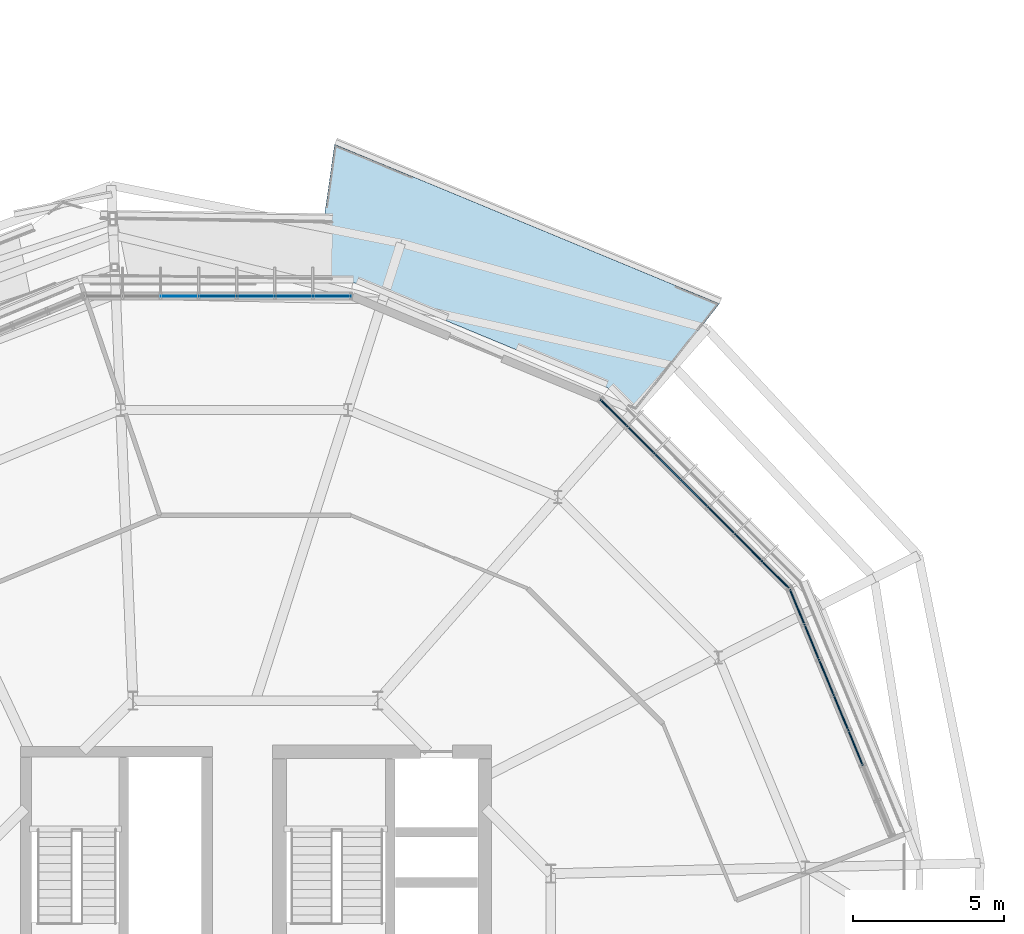
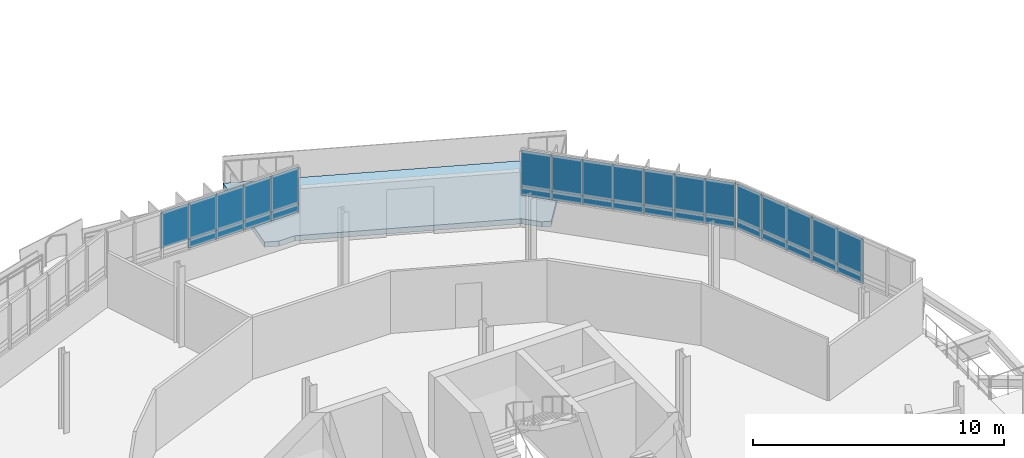
# One storey, part 43 of 61: 33 plates, 1 slab, 3 elements without a shape of their own.
"""IFC4 building model written with IfcOpenShell, lengths in metres."""

from ifc_helpers import new_model, si_unit, derived_unit, direction, frame, origin, origin_2d, place, context, subcontext, project, spatial, polyline, rectangle, outline, extrude, material, layer, layer_set, type_object, element, aggregate, save


model = new_model("IFC4")

# Units and contexts
model_context = context("Model", 3, precision=1e-05, world=origin(), true_north=direction((0.0, 1.0)))
body_context = subcontext(model_context, "Body", "Model", "MODEL_VIEW")
ifc_project = project(units=[si_unit("LENGTHUNIT", "METRE"), si_unit("AREAUNIT", "SQUARE_METRE"), si_unit("VOLUMEUNIT", "CUBIC_METRE"), si_unit("PLANEANGLEUNIT", "RADIAN"), si_unit("MASSUNIT", "GRAM", prefix="KILO"), derived_unit("THERMALTRANSMITTANCEUNIT", [(si_unit("MASSUNIT", "GRAM", prefix="KILO"), 1), (si_unit("TIMEUNIT", "SECOND"), -3), (si_unit("THERMODYNAMICTEMPERATUREUNIT", "KELVIN"), -1)])], contexts=[model_context])

# Site, building, storey
site_placement = place(None, origin())
site = spatial("IfcSite", under=ifc_project, at=site_placement, CompositionType="ELEMENT")
building_placement = place(site_placement, origin())
building = spatial("IfcBuilding", under=site, at=building_placement, Name="Makaiwela Harbour Ferry Terminal", CompositionType="ELEMENT")
storey_placement = place(building_placement, frame((0.0, 0.0, 13.800048828125)))
storey = spatial("IfcBuildingStorey", under=building, at=storey_placement, Name="L03", CompositionType="ELEMENT", Elevation=13.800048828125)

# Curtain wall, plates
ifc_material_1 = material(Name="Marine anodised aluminium 6063-T6", Category="aluminium")
ifc_layer_1 = layer(ifc_material_1, 0.199951171875)
ifc_layer_set_1 = layer_set([ifc_layer_1], Name="Marine anodised aluminium 6063-T6")
curtain_wall_type = type_object("IfcCurtainWallType", Name="ENV-CW-05", PredefinedType="USERDEFINED", material=ifc_layer_set_1)
curtain_wall_1_placement = place(storey_placement, origin())
curtain_wall_1 = element("IfcCurtainWall", 1, at=curtain_wall_1_placement, inside=storey, type_object=curtain_wall_type, Name="Unitised Curtain Wall CWA-029", ObjectType="UNITIZED CURTAIN WALL", PredefinedType="USERDEFINED")
ifc_material_2 = material(Name="Laminated hurricane-impact low-E insulated glazing", Category="glass")
ifc_layer_2 = layer(ifc_material_2, 0.031982421875)
ifc_layer_set_2 = layer_set([ifc_layer_2], Name="Laminated hurricane-impact low-E insulated glazing")
plate_type_1 = type_object("IfcPlateType", Name="CW-PNL-G08", PredefinedType="CURTAIN_PANEL", material=ifc_layer_set_2)
plate_1_placement = place(storey_placement, frame((57.69287109375, 75.831298828125, 1.89990234375), z_axis=(0.0, 0.0, 1.0), x_axis=(-0.382683432365, 0.923879532511, 0.0)))
plate_1 = element("IfcPlate", 2, at=plate_1_placement, type_object=plate_type_1, Name="Glazed Vision Panel CWA-029-3G", PredefinedType="CURTAIN_PANEL", context=body_context, shape_type="SweptSolid", body=[
    extrude(rectangle(XDim=1.26220703125, YDim=0.031982421875, at=origin_2d()), origin(), (0.0, 0.0, 1.0), 1.760009765625),
])
plate_2_placement = place(storey_placement, frame((57.209716796875, 76.99755859375, 1.89990234375), z_axis=(0.0, 0.0, 1.0), x_axis=(-0.382683432365, 0.923879532511, 0.0)))
plate_2 = element("IfcPlate", 3, at=plate_2_placement, type_object=plate_type_1, Name="Glazed Vision Panel CWA-029-4G", PredefinedType="CURTAIN_PANEL", context=body_context, shape_type="SweptSolid", body=[
    extrude(rectangle(XDim=1.26220703125, YDim=0.031982421875, at=origin_2d()), origin(), (0.0, 0.0, 1.0), 1.760009765625),
])
plate_3_placement = place(storey_placement, frame((56.7265625, 78.163818359375, 1.89990234375), z_axis=(0.0, 0.0, 1.0), x_axis=(-0.382683432365, 0.923879532511, 0.0)))
plate_3 = element("IfcPlate", 4, at=plate_3_placement, type_object=plate_type_1, Name="Glazed Vision Panel CWA-029-5G", PredefinedType="CURTAIN_PANEL", context=body_context, shape_type="SweptSolid", body=[
    extrude(rectangle(XDim=1.26220703125, YDim=0.031982421875, at=origin_2d()), origin(), (0.0, 0.0, 1.0), 1.760009765625),
])
plate_4_placement = place(storey_placement, frame((56.24365234375, 79.330078125, 1.89990234375), z_axis=(0.0, 0.0, 1.0), x_axis=(-0.382683432365, 0.923879532511, 0.0)))
plate_4 = element("IfcPlate", 5, at=plate_4_placement, type_object=plate_type_1, Name="Glazed Vision Panel CWA-029-6G", PredefinedType="CURTAIN_PANEL", context=body_context, shape_type="SweptSolid", body=[
    extrude(rectangle(XDim=1.26220703125, YDim=0.031982421875, at=origin_2d()), origin(), (0.0, 0.0, 1.0), 1.760009765625),
])
plate_5_placement = place(storey_placement, frame((55.760498046875, 80.49609375, 1.89990234375), z_axis=(0.0, 0.0, 1.0), x_axis=(-0.382683432365, 0.923879532511, 0.0)))
plate_5 = element("IfcPlate", 6, at=plate_5_placement, type_object=plate_type_1, Name="Glazed Vision Panel CWA-029-7G", PredefinedType="CURTAIN_PANEL", context=body_context, shape_type="SweptSolid", body=[
    extrude(rectangle(XDim=1.26220703125, YDim=0.031982421875, at=origin_2d()), origin(), (0.0, 0.0, 1.0), 1.760009765625),
])

curtain_wall_2_placement = place(storey_placement, origin())
curtain_wall_2 = element("IfcCurtainWall", 7, at=curtain_wall_2_placement, inside=storey, type_object=curtain_wall_type, Name="Unitised Curtain Wall CWA-030", ObjectType="UNITIZED CURTAIN WALL", PredefinedType="USERDEFINED")
plate_6_placement = place(storey_placement, frame((55.0400390625, 81.574462890625, 1.89990234375), z_axis=(0.0, 0.0, 1.0), x_axis=(-0.707106781187, 0.707106781187, 0.0)))
plate_6 = element("IfcPlate", 8, at=plate_6_placement, type_object=plate_type_1, Name="Glazed Vision Panel CWA-030-1G", PredefinedType="CURTAIN_PANEL", context=body_context, shape_type="SweptSolid", body=[
    extrude(rectangle(XDim=1.26220703125, YDim=0.031982421875, at=origin_2d()), origin(), (0.0, 0.0, 1.0), 1.760009765625),
])
plate_7_placement = place(storey_placement, frame((54.1474609375, 82.467041015625, 1.89990234375), z_axis=(0.0, 0.0, 1.0), x_axis=(-0.707106781187, 0.707106781187, 0.0)))
plate_7 = element("IfcPlate", 9, at=plate_7_placement, type_object=plate_type_1, Name="Glazed Vision Panel CWA-030-2G", PredefinedType="CURTAIN_PANEL", context=body_context, shape_type="SweptSolid", body=[
    extrude(rectangle(XDim=1.26220703125, YDim=0.031982421875, at=origin_2d()), origin(), (0.0, 0.0, 1.0), 1.760009765625),
])
plate_8_placement = place(storey_placement, frame((53.2548828125, 83.359619140625, 1.89990234375), z_axis=(0.0, 0.0, 1.0), x_axis=(-0.707106781187, 0.707106781187, 0.0)))
plate_8 = element("IfcPlate", 10, at=plate_8_placement, type_object=plate_type_1, Name="Glazed Vision Panel CWA-030-3G", PredefinedType="CURTAIN_PANEL", context=body_context, shape_type="SweptSolid", body=[
    extrude(rectangle(XDim=1.26220703125, YDim=0.031982421875, at=origin_2d()), origin(), (0.0, 0.0, 1.0), 1.760009765625),
])
plate_9_placement = place(storey_placement, frame((52.3623046875, 84.252197265625, 1.89990234375), z_axis=(0.0, 0.0, 1.0), x_axis=(-0.707106781187, 0.707106781187, 0.0)))
plate_9 = element("IfcPlate", 11, at=plate_9_placement, type_object=plate_type_1, Name="Glazed Vision Panel CWA-030-4G", PredefinedType="CURTAIN_PANEL", context=body_context, shape_type="SweptSolid", body=[
    extrude(rectangle(XDim=1.26220703125, YDim=0.031982421875, at=origin_2d()), origin(), (0.0, 0.0, 1.0), 1.760009765625),
])
plate_10_placement = place(storey_placement, frame((51.4697265625, 85.144775390625, 1.89990234375), z_axis=(0.0, 0.0, 1.0), x_axis=(-0.707106781187, 0.707106781187, 0.0)))
plate_10 = element("IfcPlate", 12, at=plate_10_placement, type_object=plate_type_1, Name="Glazed Vision Panel CWA-030-5G", PredefinedType="CURTAIN_PANEL", context=body_context, shape_type="SweptSolid", body=[
    extrude(rectangle(XDim=1.26220703125, YDim=0.031982421875, at=origin_2d()), origin(), (0.0, 0.0, 1.0), 1.760009765625),
])
plate_11_placement = place(storey_placement, frame((50.5771484375, 86.037353515625, 1.89990234375), z_axis=(0.0, 0.0, 1.0), x_axis=(-0.707106781187, 0.707106781187, 0.0)))
plate_11 = element("IfcPlate", 13, at=plate_11_placement, type_object=plate_type_1, Name="Glazed Vision Panel CWA-030-6G", PredefinedType="CURTAIN_PANEL", context=body_context, shape_type="SweptSolid", body=[
    extrude(rectangle(XDim=1.26220703125, YDim=0.031982421875, at=origin_2d()), origin(), (0.0, 0.0, 1.0), 1.760009765625),
])
plate_12_placement = place(storey_placement, frame((49.6845703125, 86.929931640625, 1.89990234375), z_axis=(0.0, 0.0, 1.0), x_axis=(-0.707106781187, 0.707106781187, 0.0)))
plate_12 = element("IfcPlate", 14, at=plate_12_placement, type_object=plate_type_1, Name="Glazed Vision Panel CWA-030-7G", PredefinedType="CURTAIN_PANEL", context=body_context, shape_type="SweptSolid", body=[
    extrude(rectangle(XDim=1.26220703125, YDim=0.031982421875, at=origin_2d()), origin(), (0.0, 0.0, 1.0), 1.760009765625),
])

curtain_wall_3_placement = place(storey_placement, origin())
curtain_wall_3 = element("IfcCurtainWall", 15, at=curtain_wall_3_placement, inside=storey, type_object=curtain_wall_type, Name="Unitised Curtain Wall CWA-031", ObjectType="UNITIZED CURTAIN WALL", PredefinedType="USERDEFINED")
plate_13_placement = place(storey_placement, frame((40.3369140625, 90.802001953125, 1.89990234375), z_axis=(0.0, 0.0, 1.0), x_axis=(-1.0, 0.0, 0.0)))
plate_13 = element("IfcPlate", 16, at=plate_13_placement, type_object=plate_type_1, Name="Glazed Vision Panel CWA-031-1G", PredefinedType="CURTAIN_PANEL", context=body_context, shape_type="SweptSolid", body=[
    extrude(rectangle(XDim=1.26220703125, YDim=0.031982421875, at=origin_2d()), origin(), (0.0, 0.0, 1.0), 1.760009765625),
])
plate_14_placement = place(storey_placement, frame((39.07470703125, 90.802001953125, 1.89990234375), z_axis=(0.0, 0.0, 1.0), x_axis=(-1.0, 0.0, 0.0)))
plate_14 = element("IfcPlate", 17, at=plate_14_placement, type_object=plate_type_1, Name="Glazed Vision Panel CWA-031-2G", PredefinedType="CURTAIN_PANEL", context=body_context, shape_type="SweptSolid", body=[
    extrude(rectangle(XDim=1.26220703125, YDim=0.031982421875, at=origin_2d()), origin(), (0.0, 0.0, 1.0), 1.760009765625),
])
plate_15_placement = place(storey_placement, frame((37.812255859375, 90.802001953125, 1.89990234375), z_axis=(0.0, 0.0, 1.0), x_axis=(-1.0, 0.0, 0.0)))
plate_15 = element("IfcPlate", 18, at=plate_15_placement, type_object=plate_type_1, Name="Glazed Vision Panel CWA-031-3G", PredefinedType="CURTAIN_PANEL", context=body_context, shape_type="SweptSolid", body=[
    extrude(rectangle(XDim=1.26220703125, YDim=0.031982421875, at=origin_2d()), origin(), (0.0, 0.0, 1.0), 1.760009765625),
])
plate_16_placement = place(storey_placement, frame((36.550048828125, 90.802001953125, 1.89990234375), z_axis=(0.0, 0.0, 1.0), x_axis=(-1.0, 0.0, 0.0)))
plate_16 = element("IfcPlate", 19, at=plate_16_placement, type_object=plate_type_1, Name="Glazed Vision Panel CWA-031-4G", PredefinedType="CURTAIN_PANEL", context=body_context, shape_type="SweptSolid", body=[
    extrude(rectangle(XDim=1.26220703125, YDim=0.031982421875, at=origin_2d()), origin(), (0.0, 0.0, 1.0), 1.760009765625),
])
plate_17_placement = place(storey_placement, frame((35.28759765625, 90.802001953125, 1.89990234375), z_axis=(0.0, 0.0, 1.0), x_axis=(-1.0, 0.0, 0.0)))
plate_17 = element("IfcPlate", 20, at=plate_17_placement, type_object=plate_type_1, Name="Glazed Vision Panel CWA-031-5G", PredefinedType="CURTAIN_PANEL", context=body_context, shape_type="SweptSolid", body=[
    extrude(rectangle(XDim=1.26220703125, YDim=0.031982421875, at=origin_2d()), origin(), (0.0, 0.0, 1.0), 1.760009765625),
])

# Plate
ifc_material_3 = material(Name="Insulated marine aluminium spandrel panel", Category="aluminium")
ifc_layer_3 = layer(ifc_material_3, 0.048095703125)
ifc_layer_set_3 = layer_set([ifc_layer_3], Name="Insulated marine aluminium spandrel panel")
plate_type_2 = type_object("IfcPlateType", Name="CW-PNL-S07", PredefinedType="CURTAIN_PANEL", material=ifc_layer_set_3)
plate_18_placement = place(storey_placement, frame((57.69287109375, 75.831298828125, 1.47998046875), z_axis=(0.0, 0.0, 1.0), x_axis=(-0.382683432365, 0.923879532511, 0.0)))
plate_18 = element("IfcPlate", 21, at=plate_18_placement, type_object=plate_type_2, Name="Spandrel Panel CWA-029-3S", PredefinedType="CURTAIN_PANEL", context=body_context, shape_type="SweptSolid", body=[
    extrude(rectangle(XDim=1.26220703125, YDim=0.048095703125, at=origin_2d()), origin(), (0.0, 0.0, 1.0), 0.419921875),
])

plate_19_placement = place(storey_placement, frame((57.209716796875, 76.99755859375, 1.47998046875), z_axis=(0.0, 0.0, 1.0), x_axis=(-0.382683432365, 0.923879532511, 0.0)))
plate_19 = element("IfcPlate", 22, at=plate_19_placement, type_object=plate_type_2, Name="Spandrel Panel CWA-029-4S", PredefinedType="CURTAIN_PANEL", context=body_context, shape_type="SweptSolid", body=[
    extrude(rectangle(XDim=1.26220703125, YDim=0.048095703125, at=origin_2d()), origin(), (0.0, 0.0, 1.0), 0.419921875),
])

plate_20_placement = place(storey_placement, frame((56.7265625, 78.163818359375, 1.47998046875), z_axis=(0.0, 0.0, 1.0), x_axis=(-0.382683432365, 0.923879532511, 0.0)))
plate_20 = element("IfcPlate", 23, at=plate_20_placement, type_object=plate_type_2, Name="Spandrel Panel CWA-029-5S", PredefinedType="CURTAIN_PANEL", context=body_context, shape_type="SweptSolid", body=[
    extrude(rectangle(XDim=1.26220703125, YDim=0.048095703125, at=origin_2d()), origin(), (0.0, 0.0, 1.0), 0.419921875),
])

plate_21_placement = place(storey_placement, frame((56.24365234375, 79.330078125, 1.47998046875), z_axis=(0.0, 0.0, 1.0), x_axis=(-0.382683432365, 0.923879532511, 0.0)))
plate_21 = element("IfcPlate", 24, at=plate_21_placement, type_object=plate_type_2, Name="Spandrel Panel CWA-029-6S", PredefinedType="CURTAIN_PANEL", context=body_context, shape_type="SweptSolid", body=[
    extrude(rectangle(XDim=1.26220703125, YDim=0.048095703125, at=origin_2d()), origin(), (0.0, 0.0, 1.0), 0.419921875),
])

plate_22_placement = place(storey_placement, frame((55.760498046875, 80.49609375, 1.47998046875), z_axis=(0.0, 0.0, 1.0), x_axis=(-0.382683432365, 0.923879532511, 0.0)))
plate_22 = element("IfcPlate", 25, at=plate_22_placement, type_object=plate_type_2, Name="Spandrel Panel CWA-029-7S", PredefinedType="CURTAIN_PANEL", context=body_context, shape_type="SweptSolid", body=[
    extrude(rectangle(XDim=1.26220703125, YDim=0.048095703125, at=origin_2d()), origin(), (0.0, 0.0, 1.0), 0.419921875),
])

aggregate(curtain_wall_1, [plate_18, plate_1, plate_19, plate_2, plate_20, plate_3, plate_21, plate_4, plate_22, plate_5])

plate_23_placement = place(storey_placement, frame((55.0400390625, 81.574462890625, 1.47998046875), z_axis=(0.0, 0.0, 1.0), x_axis=(-0.707106781187, 0.707106781187, 0.0)))
plate_23 = element("IfcPlate", 26, at=plate_23_placement, type_object=plate_type_2, Name="Spandrel Panel CWA-030-1S", PredefinedType="CURTAIN_PANEL", context=body_context, shape_type="SweptSolid", body=[
    extrude(rectangle(XDim=1.26220703125, YDim=0.048095703125, at=origin_2d()), origin(), (0.0, 0.0, 1.0), 0.419921875),
])

plate_24_placement = place(storey_placement, frame((54.1474609375, 82.467041015625, 1.47998046875), z_axis=(0.0, 0.0, 1.0), x_axis=(-0.707106781187, 0.707106781187, 0.0)))
plate_24 = element("IfcPlate", 27, at=plate_24_placement, type_object=plate_type_2, Name="Spandrel Panel CWA-030-2S", PredefinedType="CURTAIN_PANEL", context=body_context, shape_type="SweptSolid", body=[
    extrude(rectangle(XDim=1.26220703125, YDim=0.048095703125, at=origin_2d()), origin(), (0.0, 0.0, 1.0), 0.419921875),
])

plate_25_placement = place(storey_placement, frame((53.2548828125, 83.359619140625, 1.47998046875), z_axis=(0.0, 0.0, 1.0), x_axis=(-0.707106781187, 0.707106781187, 0.0)))
plate_25 = element("IfcPlate", 28, at=plate_25_placement, type_object=plate_type_2, Name="Spandrel Panel CWA-030-3S", PredefinedType="CURTAIN_PANEL", context=body_context, shape_type="SweptSolid", body=[
    extrude(rectangle(XDim=1.26220703125, YDim=0.048095703125, at=origin_2d()), origin(), (0.0, 0.0, 1.0), 0.419921875),
])

plate_26_placement = place(storey_placement, frame((52.3623046875, 84.252197265625, 1.47998046875), z_axis=(0.0, 0.0, 1.0), x_axis=(-0.707106781187, 0.707106781187, 0.0)))
plate_26 = element("IfcPlate", 29, at=plate_26_placement, type_object=plate_type_2, Name="Spandrel Panel CWA-030-4S", PredefinedType="CURTAIN_PANEL", context=body_context, shape_type="SweptSolid", body=[
    extrude(rectangle(XDim=1.26220703125, YDim=0.048095703125, at=origin_2d()), origin(), (0.0, 0.0, 1.0), 0.419921875),
])

plate_27_placement = place(storey_placement, frame((51.4697265625, 85.144775390625, 1.47998046875), z_axis=(0.0, 0.0, 1.0), x_axis=(-0.707106781187, 0.707106781187, 0.0)))
plate_27 = element("IfcPlate", 30, at=plate_27_placement, type_object=plate_type_2, Name="Spandrel Panel CWA-030-5S", PredefinedType="CURTAIN_PANEL", context=body_context, shape_type="SweptSolid", body=[
    extrude(rectangle(XDim=1.26220703125, YDim=0.048095703125, at=origin_2d()), origin(), (0.0, 0.0, 1.0), 0.419921875),
])

plate_28_placement = place(storey_placement, frame((50.5771484375, 86.037353515625, 1.47998046875), z_axis=(0.0, 0.0, 1.0), x_axis=(-0.707106781187, 0.707106781187, 0.0)))
plate_28 = element("IfcPlate", 31, at=plate_28_placement, type_object=plate_type_2, Name="Spandrel Panel CWA-030-6S", PredefinedType="CURTAIN_PANEL", context=body_context, shape_type="SweptSolid", body=[
    extrude(rectangle(XDim=1.26220703125, YDim=0.048095703125, at=origin_2d()), origin(), (0.0, 0.0, 1.0), 0.419921875),
])

plate_29_placement = place(storey_placement, frame((49.6845703125, 86.929931640625, 1.47998046875), z_axis=(0.0, 0.0, 1.0), x_axis=(-0.707106781187, 0.707106781187, 0.0)))
plate_29 = element("IfcPlate", 32, at=plate_29_placement, type_object=plate_type_2, Name="Spandrel Panel CWA-030-7S", PredefinedType="CURTAIN_PANEL", context=body_context, shape_type="SweptSolid", body=[
    extrude(rectangle(XDim=1.26220703125, YDim=0.048095703125, at=origin_2d()), origin(), (0.0, 0.0, 1.0), 0.419921875),
])

aggregate(curtain_wall_2, [plate_23, plate_6, plate_24, plate_7, plate_25, plate_8, plate_26, plate_9, plate_27, plate_10, plate_28, plate_11, plate_29, plate_12])

plate_30_placement = place(storey_placement, frame((40.3369140625, 90.802001953125, 1.47998046875), z_axis=(0.0, 0.0, 1.0), x_axis=(-1.0, 0.0, 0.0)))
plate_30 = element("IfcPlate", 33, at=plate_30_placement, type_object=plate_type_2, Name="Spandrel Panel CWA-031-1S", PredefinedType="CURTAIN_PANEL", context=body_context, shape_type="SweptSolid", body=[
    extrude(rectangle(XDim=1.26220703125, YDim=0.048095703125, at=origin_2d()), origin(), (0.0, 0.0, 1.0), 0.419921875),
])

plate_31_placement = place(storey_placement, frame((39.07470703125, 90.802001953125, 1.47998046875), z_axis=(0.0, 0.0, 1.0), x_axis=(-1.0, 0.0, 0.0)))
plate_31 = element("IfcPlate", 34, at=plate_31_placement, type_object=plate_type_2, Name="Spandrel Panel CWA-031-2S", PredefinedType="CURTAIN_PANEL", context=body_context, shape_type="SweptSolid", body=[
    extrude(rectangle(XDim=1.26220703125, YDim=0.048095703125, at=origin_2d()), origin(), (0.0, 0.0, 1.0), 0.419921875),
])

plate_32_placement = place(storey_placement, frame((37.812255859375, 90.802001953125, 1.47998046875), z_axis=(0.0, 0.0, 1.0), x_axis=(-1.0, 0.0, 0.0)))
plate_32 = element("IfcPlate", 35, at=plate_32_placement, type_object=plate_type_2, Name="Spandrel Panel CWA-031-3S", PredefinedType="CURTAIN_PANEL", context=body_context, shape_type="SweptSolid", body=[
    extrude(rectangle(XDim=1.26220703125, YDim=0.048095703125, at=origin_2d()), origin(), (0.0, 0.0, 1.0), 0.419921875),
])

plate_33_placement = place(storey_placement, frame((36.550048828125, 90.802001953125, 1.47998046875), z_axis=(0.0, 0.0, 1.0), x_axis=(-1.0, 0.0, 0.0)))
plate_33 = element("IfcPlate", 36, at=plate_33_placement, type_object=plate_type_2, Name="Spandrel Panel CWA-031-4S", PredefinedType="CURTAIN_PANEL", context=body_context, shape_type="SweptSolid", body=[
    extrude(rectangle(XDim=1.26220703125, YDim=0.048095703125, at=origin_2d()), origin(), (0.0, 0.0, 1.0), 0.419921875),
])

aggregate(curtain_wall_3, [plate_30, plate_13, plate_31, plate_14, plate_32, plate_15, plate_33, plate_16, plate_17])

# Slab
ifc_material_4 = material(Name="Concrete f'c 35 MPa (5000 psi)", Category="concrete")
ifc_layer_4 = layer(ifc_material_4, 0.25)
ifc_layer_set_4 = layer_set([ifc_layer_4], Name="Concrete f'c 35 MPa (5000 psi)")
slab_type = type_object("IfcSlabType", Name="SLB-TER-250", PredefinedType="FLOOR", material=ifc_layer_set_4)
slab_placement = place(storey_placement, frame((0.0, 0.0, -0.25)))
element("IfcSlab", 37, at=slab_placement, inside=storey, type_object=slab_type, Name="Promenade Ramp Balcony Terrace RTER-L03", PredefinedType="FLOOR", context=body_context, shape_type="SweptSolid", body=[
    extrude(outline(polyline([(40.345947265625, 91.245361328125), (41.085693359375, 91.245361328125), (41.0859375, 91.245361328125), (41.086181640625, 91.245361328125), (41.08642578125, 91.2451171875), (41.086669921875, 91.2451171875), (49.4677734375, 87.7734375), (49.468017578125, 87.7734375), (49.468017578125, 87.7734375), (49.46826171875, 87.773193359375), (49.468505859375, 87.773193359375), (50.065673828125, 87.176025390625), (50.417724609375, 87.028564453125), (53.182861328125, 90.552734375), (40.4248046875, 95.83740234375), (39.807373046875, 91.470703125), (40.345947265625, 91.245361328125)])), origin(), (0.0, 0.0, 1.0), 0.25),
])

save(model, "model.ifc")
